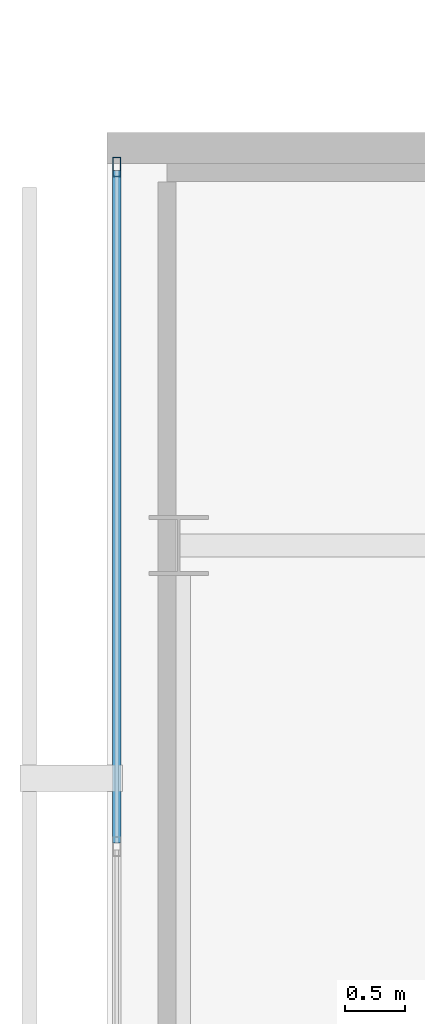
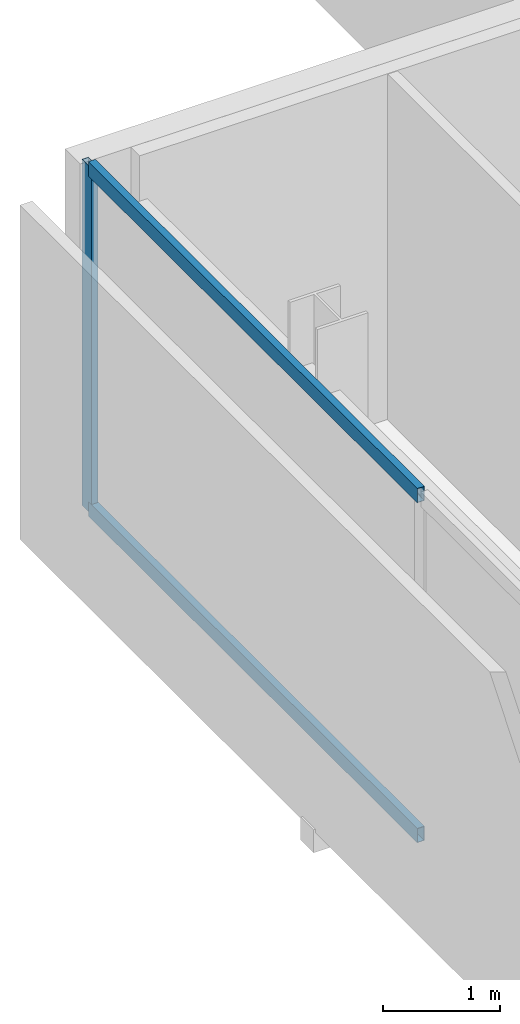
# One storey, part 14 of 24: 3 members, 1 element without a shape of its own.
"""IFC4 building model written with IfcOpenShell, lengths in metres."""

import ifcopenshell
import ifcopenshell.guid

model = None  # the IFC model being written
_history = None  # IfcOwnerHistory: only IFC2X3 demands one
_inside = {}  # id of a spatial element -> (the spatial element, [elements in it])
_under = {}  # id of a project, library or spatial element -> (it, [spatial elements below it])
_declared = {}  # id of a project -> (the project, [libraries it declares])
_typed = {}  # id of a type object -> (the type object, [elements of that type])
_made_of = {}  # id of a material, layer set ... -> (it, [elements and type objects made of it])


def new_model(schema):
    """Start an empty IFC model of exactly this schema.

    Asked for "IFC4X3", IfcOpenShell would pick the latest addendum, in which some entities
    have other attributes; the version numbers below select the first issue.
    IFC2X3 requires an IfcOwnerHistory on every rooted entity: one is made here for all.
    """
    global model, _history
    if schema == "IFC4X3":
        model = ifcopenshell.file(schema_version=(4, 3, 0, 0))
    else:
        model = ifcopenshell.file(schema=schema)
    _inside.clear()
    _under.clear()
    _declared.clear()
    _typed.clear()
    _made_of.clear()
    _history = None
    if model.schema == "IFC2X3":
        org = make("IfcOrganization", Name="unknown")
        user = make(
            "IfcPersonAndOrganization",
            ThePerson=make("IfcPerson", FamilyName="unknown"),
            TheOrganization=org,
        )
        app = make(
            "IfcApplication",
            ApplicationDeveloper=org,
            Version="unknown",
            ApplicationFullName="unknown",
            ApplicationIdentifier="unknown",
        )
        _history = make(
            "IfcOwnerHistory",
            OwningUser=user,
            OwningApplication=app,
            ChangeAction="ADDED",
            CreationDate=0,
        )
    return model


def make(cls, **values):
    """One entity of the class cls with the attributes given. An attribute that is None is left unset."""
    return model.create_entity(
        cls, **{name: value for name, value in values.items() if value is not None}
    )


def rooted(cls, **values):
    """An entity with a GlobalId (a new one), such as an element, a storey or a relation."""
    return make(cls, GlobalId=ifcopenshell.guid.new(), OwnerHistory=_history, **values)


def si_unit(unit_type, name, prefix=None):
    """IfcSIUnit, for example si_unit("LENGTHUNIT", "METRE", prefix="MILLI")."""
    return make("IfcSIUnit", UnitType=unit_type, Prefix=prefix, Name=name)


def assignment(units):
    """IfcUnitAssignment: the units of a project."""
    return None if units is None else make("IfcUnitAssignment", Units=units)


def point(xyz):
    """IfcCartesianPoint."""
    return None if xyz is None else make("IfcCartesianPoint", Coordinates=xyz)


def direction(xyz):
    """IfcDirection."""
    return None if xyz is None else make("IfcDirection", DirectionRatios=xyz)


def frame(location, z_axis=None, x_axis=None):
    """IfcAxis2Placement3D, a coordinate frame: its origin and axes. An axis left out is left unset."""
    return make(
        "IfcAxis2Placement3D",
        Location=point(location),
        Axis=direction(z_axis),
        RefDirection=direction(x_axis),
    )


def frame_2d(location, x_axis=None):
    """IfcAxis2Placement2D, a coordinate frame in the plane: its origin and x axis."""
    return make(
        "IfcAxis2Placement2D", Location=point(location), RefDirection=direction(x_axis)
    )


def origin():
    """The frame at (0, 0, 0) with its axes left unset."""
    return frame((0.0, 0.0, 0.0))


def origin_2d():
    """The frame at (0, 0) in the plane with its x axis left unset."""
    return frame_2d((0.0, 0.0))


def place(relative_to, where):
    """IfcLocalPlacement: puts the frame where relative to a parent placement (None: the world)."""
    return make(
        "IfcLocalPlacement", PlacementRelTo=relative_to, RelativePlacement=where
    )


def context(
    kind, dimensions, precision=None, world=None, true_north=None, identifier=None
):
    """IfcGeometricRepresentationContext, for example the 3D "Model" context."""
    return make(
        "IfcGeometricRepresentationContext",
        ContextIdentifier=identifier,
        ContextType=kind,
        CoordinateSpaceDimension=dimensions,
        Precision=precision,
        WorldCoordinateSystem=world,
        TrueNorth=true_north,
    )


def subcontext(parent, identifier, kind, view, scale=None):
    """IfcGeometricRepresentationSubContext, for example "Body" below "Model"."""
    return make(
        "IfcGeometricRepresentationSubContext",
        ContextIdentifier=identifier,
        ContextType=kind,
        ParentContext=parent,
        TargetScale=scale,
        TargetView=view,
    )


def project(units=None, contexts=None):
    """IfcProject with its units and contexts."""
    return rooted(
        "IfcProject",
        Name="project",
        RepresentationContexts=contexts,
        UnitsInContext=assignment(units),
    )


def spatial(cls, under=None, at=None, **own):
    """A site, building, storey or space (cls), placed at a placement, below another one or the project."""
    s = rooted(cls, ObjectPlacement=at, **own)
    if under is not None:
        _under.setdefault(under.id(), (under, []))[1].append(s)
    return s


def profile(cls, at=None, kind="AREA", **sizes):
    """A parametric profile (cls). Its sizes go by their IFC names, for example OverallWidth=200.0."""
    return make(cls, ProfileType=kind, Position=at, **sizes)


def hollow_rectangle(**sizes):
    """IfcRectangleHollowProfileDef."""
    return profile("IfcRectangleHollowProfileDef", **sizes)


def extrude(swept, where, along, depth):
    """IfcExtrudedAreaSolid: the profile swept, set in the frame where, extruded along a direction by depth."""
    return make(
        "IfcExtrudedAreaSolid",
        SweptArea=swept,
        Position=where,
        ExtrudedDirection=direction(along),
        Depth=depth,
    )


def shape(context_of_items, identifier, shape_type, items):
    """IfcShapeRepresentation: the items that make up one representation, for example the "Body"."""
    return make(
        "IfcShapeRepresentation",
        ContextOfItems=context_of_items,
        RepresentationIdentifier=identifier,
        RepresentationType=shape_type,
        Items=items,
    )


def material(Name=None, Category=None):
    """IfcMaterial."""
    return make("IfcMaterial", Name=Name, Category=Category)


def layer(
    of_material, thickness, ventilated=None, Name=None, Category=None, Priority=None
):
    """IfcMaterialLayer: one layer of a wall or slab, of a material (None: an air gap)."""
    return make(
        "IfcMaterialLayer",
        Material=of_material,
        LayerThickness=thickness,
        IsVentilated=ventilated,
        Name=Name,
        Category=Category,
        Priority=Priority,
    )


def layer_set(layers, Name=None):
    """IfcMaterialLayerSet."""
    return make("IfcMaterialLayerSet", MaterialLayers=layers, LayerSetName=Name)


def material_profile(
    of_material, cross_section, Name=None, Category=None, Priority=None
):
    """IfcMaterialProfile: a cross section and its material."""
    return make(
        "IfcMaterialProfile",
        Name=Name,
        Material=of_material,
        Profile=cross_section,
        Priority=Priority,
        Category=Category,
    )


def profile_set(profiles, Name=None, composite=None):
    """IfcMaterialProfileSet."""
    return make(
        "IfcMaterialProfileSet",
        Name=Name,
        MaterialProfiles=profiles,
        CompositeProfile=composite,
    )


def made_of(thing, what):
    """Note that an element or type object is made of a material, layer set ...; save() writes the relation."""
    if what is not None:
        _made_of.setdefault(what.id(), (what, []))[1].append(thing)
    return thing


def type_object(cls, material=None, **own):
    """A type object (cls), such as IfcWallType, which elements share."""
    return made_of(rooted(cls, **own), material)


def element(
    cls,
    number,
    at=None,
    inside=None,
    cuts=None,
    type_object=None,
    material=None,
    context=None,
    identifier="Body",
    shape_type=None,
    held_by="IfcProductDefinitionShape",
    body=None,
    shapes=None,
    **own,
):
    """One element of the class cls, such as IfcWall. Its Tag is "e" and its number.

    at: its placement. inside: the storey or other place that contains it. cuts: it is an
    opening in that element (IfcRelVoidsElement). A single representation is given by context,
    identifier, shape_type and body (its items); several are given by shapes. held_by: the class
    of the entity that holds the representations. save() writes the other relations.
    """
    e = rooted(cls, Tag="e%d" % number, ObjectPlacement=at, **own)
    if body is not None:
        shapes = [shape(context, identifier, shape_type, body)]
    if shapes is not None:
        e.Representation = make(held_by, Representations=shapes)
    if inside is not None:
        _inside.setdefault(inside.id(), (inside, []))[1].append(e)
    if cuts is not None:
        rooted(
            "IfcRelVoidsElement", RelatingBuildingElement=cuts, RelatedOpeningElement=e
        )
    if type_object is not None:
        _typed.setdefault(type_object.id(), (type_object, []))[1].append(e)
    return made_of(e, material)


def aggregate(whole, parts):
    """IfcRelAggregates: a whole, such as a stair, and the parts it consists of."""
    return rooted("IfcRelAggregates", RelatingObject=whole, RelatedObjects=parts)


def save(model, path):
    """Write the relations noted so far, then the file.

    IfcRelAggregates (storeys below a building ...), IfcRelContainedInSpatialStructure (elements
    in a storey), IfcRelDefinesByType, IfcRelAssociatesMaterial and IfcRelDeclares: one each for
    every whole, place, type object, material and project.
    """
    for whole, parts in _under.values():
        aggregate(whole, parts)
    for where, things in _inside.values():
        rooted(
            "IfcRelContainedInSpatialStructure",
            RelatedElements=things,
            RelatingStructure=where,
        )
    for kind, things in _typed.values():
        rooted("IfcRelDefinesByType", RelatedObjects=things, RelatingType=kind)
    for what, things in _made_of.values():
        rooted("IfcRelAssociatesMaterial", RelatedObjects=things, RelatingMaterial=what)
    for by, libraries in _declared.values():
        rooted("IfcRelDeclares", RelatingContext=by, RelatedDefinitions=libraries)
    model.write(path)


model = new_model("IFC4")

# Units and contexts
model_context = context("Model", 3, precision=1e-05, world=origin(), true_north=direction((0.0, 1.0)))
body_context = subcontext(model_context, "Body", "Model", "MODEL_VIEW")
ifc_project = project(units=[si_unit("LENGTHUNIT", "METRE"), si_unit("AREAUNIT", "SQUARE_METRE"), si_unit("VOLUMEUNIT", "CUBIC_METRE"), si_unit("PLANEANGLEUNIT", "RADIAN"), si_unit("MASSUNIT", "GRAM", prefix="KILO")], contexts=[model_context])

# Site, building, storey
site_placement = place(None, origin())
site = spatial("IfcSite", under=ifc_project, at=site_placement, CompositionType="ELEMENT")
building_placement = place(site_placement, origin())
building = spatial("IfcBuilding", under=site, at=building_placement, Name="Maruvema Waterfront Hotel and Observation Tower", CompositionType="ELEMENT")
storey_placement = place(building_placement, frame((0.0, 0.0, 329.699951171875)))
storey = spatial("IfcBuildingStorey", under=building, at=storey_placement, Name="L81", CompositionType="ELEMENT", Elevation=329.699951171875)

# Curtain wall, members
ifc_material_1 = material(Name="Anodised bronze aluminium and solar-control low-E IGU", Category="aluminium")
ifc_layer = layer(ifc_material_1, 0.159912109375, Name="Zone 4 Sky Residence Inner Curtain Wall System CW-05")
ifc_layer_set = layer_set([ifc_layer], Name="Anodised bronze aluminium and solar-control low-E IGU")
curtain_wall_type = type_object("IfcCurtainWallType", Name="Zone 4 Sky Residence Inner Curtain Wall System CW-05", PredefinedType="USERDEFINED", material=ifc_layer_set)
curtain_wall_placement = place(storey_placement, origin())
curtain_wall = element("IfcCurtainWall", 1, at=curtain_wall_placement, inside=storey, type_object=curtain_wall_type, Name="L81 Curtain Wall CW-L81-W", ObjectType="UNITISED CURTAIN WALL", PredefinedType="USERDEFINED")
ifc_material_2 = material(Name="Anodised architectural bronze aluminium", Category="aluminium")
ifc_material_profile_1 = material_profile(ifc_material_2, hollow_rectangle(XDim=0.070068359375, YDim=0.14990234375, WallThickness=0.00390625, at=origin_2d()), Name="ALU-T70x150")
ifc_profile_set_1 = profile_set([ifc_material_profile_1], Name="Anodised architectural bronze aluminium")
member_type_1 = type_object("IfcMemberType", Name="Curtain Wall Horizontal Transom ALU-T70x150", PredefinedType="USERDEFINED", material=ifc_profile_set_1)
member_1_placement = place(storey_placement, frame((17.780029296875, 48.139892578125, 0.030029296875), z_axis=(0.0, -1.0, 0.0), x_axis=(1.0, 0.0, 0.0)))
member_1 = element("IfcMember", 2, at=member_1_placement, type_object=member_type_1, Name="CW-05 transom 1.1", ObjectType="TRANSOM", PredefinedType="USERDEFINED", context=body_context, shape_type="SweptSolid", body=[
    extrude(hollow_rectangle(XDim=0.070068359375, YDim=0.14990234375, WallThickness=0.00390625, at=origin_2d()), origin(), (0.0, 0.0, 1.0), 5.6298828125),
])
member_2_placement = place(storey_placement, frame((17.780029296875, 48.139892578125, 3.580078125), z_axis=(0.0, -1.0, 0.0), x_axis=(1.0, 0.0, 0.0)))
member_2 = element("IfcMember", 3, at=member_2_placement, type_object=member_type_1, Name="CW-05 transom 1.2", ObjectType="TRANSOM", PredefinedType="USERDEFINED", context=body_context, shape_type="SweptSolid", body=[
    extrude(hollow_rectangle(XDim=0.070068359375, YDim=0.14990234375, WallThickness=0.00390625, at=origin_2d()), origin(), (0.0, 0.0, 1.0), 5.6298828125),
])
ifc_material_3 = material(Name="Anodised architectural bronze aluminium", Category="aluminium")
ifc_material_profile_2 = material_profile(ifc_material_3, hollow_rectangle(XDim=0.06494140625, YDim=0.1650390625, WallThickness=0.00390625, at=origin_2d()), Name="ALU-M65x165")
ifc_profile_set_2 = profile_set([ifc_material_profile_2], Name="Anodised architectural bronze aluminium")
member_type_2 = type_object("IfcMemberType", Name="Curtain Wall Primary Mullion ALU-M65x165", PredefinedType="MULLION", material=ifc_profile_set_2)
member_3_placement = place(storey_placement, frame((17.780029296875, 48.169921875, 0.0), z_axis=(0.0, 0.0, 1.0), x_axis=(1.0, 0.0, 0.0)))
member_3 = element("IfcMember", 4, at=member_3_placement, type_object=member_type_2, Name="CW-05 mullion 1", PredefinedType="MULLION", context=body_context, shape_type="SweptSolid", body=[
    extrude(hollow_rectangle(XDim=0.06494140625, YDim=0.1650390625, WallThickness=0.00390625, at=origin_2d()), origin(), (0.0, 0.0, 1.0), 3.610107421875),
])
aggregate(curtain_wall, [member_3, member_1, member_2])

save(model, "model.ifc")
